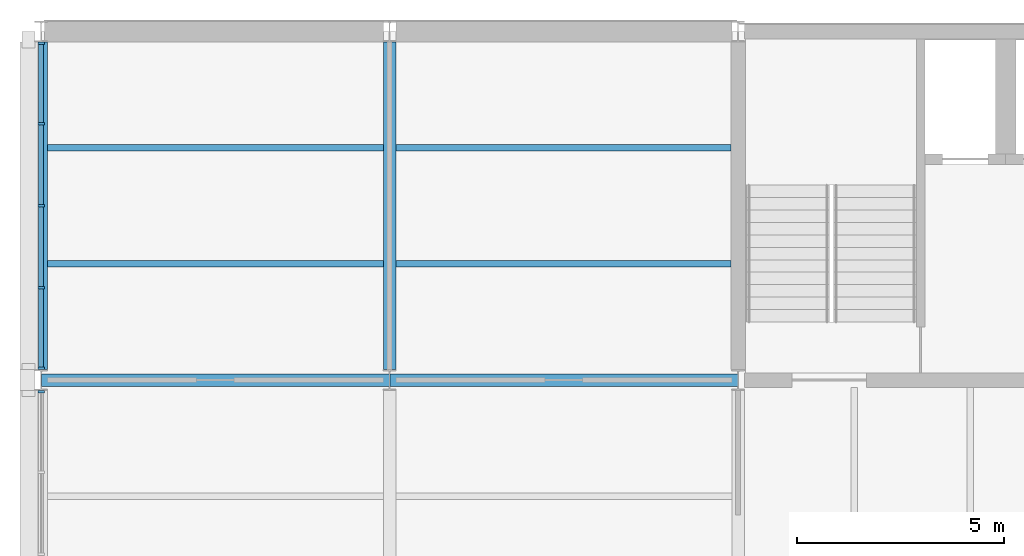
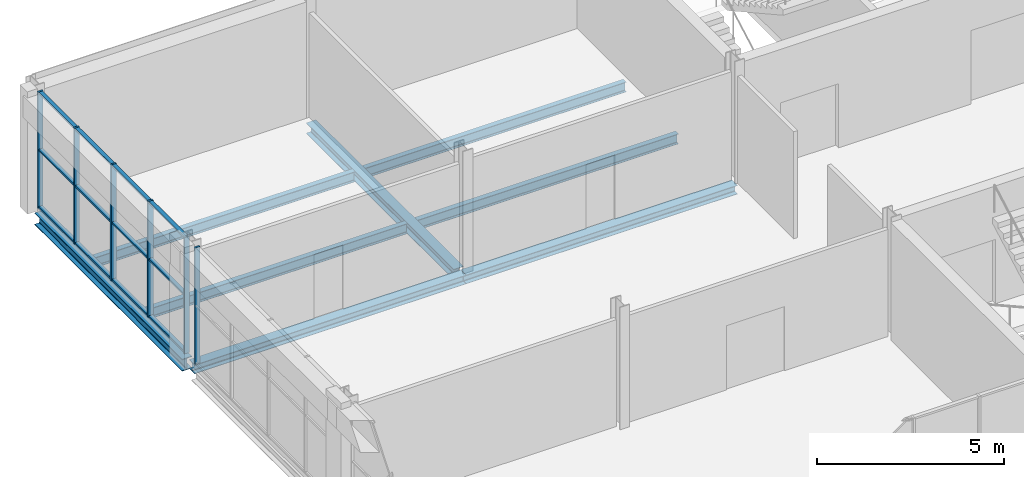
# One storey, part 5 of 12: 18 members, 8 beams, 2 elements without a shape of their own.
"""IFC4 building model written with IfcOpenShell, lengths in metres."""

from ifc_helpers import new_model, si_unit, direction, frame, origin, origin_2d, place, context, subcontext, project, spatial, rectangle, i_section, extrude, material, layer, layer_set, material_profile, profile_set, type_object, element, aggregate, save


model = new_model("IFC4")

# Units and contexts
model_context = context("Model", 3, precision=1e-05, world=origin(), true_north=direction((0.0, 1.0)))
body_context = subcontext(model_context, "Body", "Model", "MODEL_VIEW")
ifc_project = project(units=[si_unit("LENGTHUNIT", "METRE"), si_unit("AREAUNIT", "SQUARE_METRE"), si_unit("VOLUMEUNIT", "CUBIC_METRE"), si_unit("PLANEANGLEUNIT", "RADIAN"), si_unit("MASSUNIT", "GRAM", prefix="KILO")], contexts=[model_context])

# Site, building, storey
site_placement = place(None, origin())
site = spatial("IfcSite", under=ifc_project, at=site_placement, CompositionType="ELEMENT")
building_placement = place(site_placement, origin())
building = spatial("IfcBuilding", under=site, at=building_placement, Name="Galleria Vessillo Department Store", CompositionType="ELEMENT")
storey_placement = place(building_placement, frame((0.0, 0.0, 43.60009765625)))
storey = spatial("IfcBuildingStorey", under=building, at=storey_placement, Name="L09", CompositionType="ELEMENT", Elevation=43.60009765625)

# Curtain wall, member
ifc_material_1 = material(Name="Aluminium and glass curtain wall", Category="aluminium")
ifc_layer = layer(ifc_material_1, 0.159912109375)
ifc_layer_set = layer_set([ifc_layer], Name="Aluminium and glass curtain wall")
curtain_wall_type = type_object("IfcCurtainWallType", Name="Tower curtain wall CW4 2100 module", PredefinedType="NOTDEFINED", material=ifc_layer_set)
curtain_wall_1_placement = place(storey_placement, origin())
curtain_wall_1 = element("IfcCurtainWall", 1, at=curtain_wall_1_placement, inside=storey, type_object=curtain_wall_type, Name="Tower curtain wall CW4 2100 module TW-L09-02", PredefinedType="NOTDEFINED")
ifc_material_2 = material(Name="Aluminium alloy 6063 T6", Category="aluminium")
ifc_material_profile_1 = material_profile(ifc_material_2, rectangle(XDim=0.159912109375, YDim=0.06005859375, at=origin_2d()), Name="AL 60x160")
ifc_profile_set_1 = profile_set([ifc_material_profile_1], Name="Aluminium alloy 6063 T6")
member_type_1 = type_object("IfcMemberType", Name="Aluminium mullion 60 x 160", PredefinedType="MULLION", material=ifc_profile_set_1)
member_1_placement = place(storey_placement, frame((84.0, 54.320068359375, 0.0), z_axis=(0.0, 0.0, 1.0), x_axis=(-1.0, 0.0, 0.0)))
member_1 = element("IfcMember", 2, at=member_1_placement, type_object=member_type_1, Name="CW4 mullion 5", PredefinedType="MULLION", context=body_context, shape_type="SweptSolid", body=[
    extrude(rectangle(XDim=0.159912109375, YDim=0.06005859375, at=origin_2d()), origin(), (0.0, 0.0, 1.0), 3.800048828125),
])
aggregate(curtain_wall_1, [member_1])

# Curtain wall, members
curtain_wall_2_placement = place(storey_placement, origin())
curtain_wall_2 = element("IfcCurtainWall", 3, at=curtain_wall_2_placement, inside=storey, type_object=curtain_wall_type, Name="Tower curtain wall CW4 2100 module TW-L09-03", PredefinedType="NOTDEFINED")
member_2_placement = place(storey_placement, frame((84.0, 54.880126953125, 0.0), z_axis=(0.0, 0.0, 1.0), x_axis=(-1.0, 0.0, 0.0)))
member_2 = element("IfcMember", 4, at=member_2_placement, type_object=member_type_1, Name="CW4 mullion 1", PredefinedType="MULLION", context=body_context, shape_type="SweptSolid", body=[
    extrude(rectangle(XDim=0.159912109375, YDim=0.06005859375, at=origin_2d()), origin(), (0.0, 0.0, 1.0), 3.800048828125),
])
member_3_placement = place(storey_placement, frame((84.0, 56.824951171875, 0.0), z_axis=(0.0, 0.0, 1.0), x_axis=(-1.0, 0.0, 0.0)))
member_3 = element("IfcMember", 5, at=member_3_placement, type_object=member_type_1, Name="CW4 mullion 2", PredefinedType="MULLION", context=body_context, shape_type="SweptSolid", body=[
    extrude(rectangle(XDim=0.159912109375, YDim=0.06005859375, at=origin_2d()), origin(), (0.0, 0.0, 1.0), 3.800048828125),
])
member_4_placement = place(storey_placement, frame((84.0, 58.800048828125, 0.0), z_axis=(0.0, 0.0, 1.0), x_axis=(-1.0, 0.0, 0.0)))
member_4 = element("IfcMember", 6, at=member_4_placement, type_object=member_type_1, Name="CW4 mullion 3", PredefinedType="MULLION", context=body_context, shape_type="SweptSolid", body=[
    extrude(rectangle(XDim=0.159912109375, YDim=0.06005859375, at=origin_2d()), origin(), (0.0, 0.0, 1.0), 3.800048828125),
])
member_5_placement = place(storey_placement, frame((84.0, 60.77490234375, 0.0), z_axis=(0.0, 0.0, 1.0), x_axis=(-1.0, 0.0, 0.0)))
member_5 = element("IfcMember", 7, at=member_5_placement, type_object=member_type_1, Name="CW4 mullion 4", PredefinedType="MULLION", context=body_context, shape_type="SweptSolid", body=[
    extrude(rectangle(XDim=0.159912109375, YDim=0.06005859375, at=origin_2d()), origin(), (0.0, 0.0, 1.0), 3.800048828125),
])
member_6_placement = place(storey_placement, frame((84.0, 62.719970703125, 0.0), z_axis=(0.0, 0.0, 1.0), x_axis=(-1.0, 0.0, 0.0)))
member_6 = element("IfcMember", 8, at=member_6_placement, type_object=member_type_1, Name="CW4 mullion 5", PredefinedType="MULLION", context=body_context, shape_type="SweptSolid", body=[
    extrude(rectangle(XDim=0.159912109375, YDim=0.06005859375, at=origin_2d()), origin(), (0.0, 0.0, 1.0), 3.800048828125),
])
ifc_material_3 = material(Name="Aluminium alloy 6063 T6", Category="aluminium")
ifc_material_profile_2 = material_profile(ifc_material_3, rectangle(XDim=0.1201171875, YDim=0.06005859375, at=origin_2d()), Name="AL 60x120")
ifc_profile_set_2 = profile_set([ifc_material_profile_2], Name="Aluminium alloy 6063 T6")
member_type_2 = type_object("IfcMemberType", Name="Aluminium transom 60 x 120", PredefinedType="USERDEFINED", material=ifc_profile_set_2)
member_7_placement = place(storey_placement, frame((84.0, 54.91015625, 0.030029296875), z_axis=(0.0, 1.0, 0.0), x_axis=(-1.0, 0.0, 0.0)))
member_7 = element("IfcMember", 9, at=member_7_placement, type_object=member_type_2, Name="CW4 transom 1.1", ObjectType="TRANSOM", PredefinedType="USERDEFINED", context=body_context, shape_type="SweptSolid", body=[
    extrude(rectangle(XDim=0.1201171875, YDim=0.06005859375, at=origin_2d()), origin(), (0.0, 0.0, 1.0), 1.885009765625),
])
member_8_placement = place(storey_placement, frame((84.0, 54.91015625, 1.89990234375), z_axis=(0.0, 1.0, 0.0), x_axis=(-1.0, 0.0, 0.0)))
member_8 = element("IfcMember", 10, at=member_8_placement, type_object=member_type_2, Name="CW4 transom 1.2", ObjectType="TRANSOM", PredefinedType="USERDEFINED", context=body_context, shape_type="SweptSolid", body=[
    extrude(rectangle(XDim=0.1201171875, YDim=0.06005859375, at=origin_2d()), origin(), (0.0, 0.0, 1.0), 1.885009765625),
])
member_9_placement = place(storey_placement, frame((84.0, 54.91015625, 3.77001953125), z_axis=(0.0, 1.0, 0.0), x_axis=(-1.0, 0.0, 0.0)))
member_9 = element("IfcMember", 11, at=member_9_placement, type_object=member_type_2, Name="CW4 transom 1.3", ObjectType="TRANSOM", PredefinedType="USERDEFINED", context=body_context, shape_type="SweptSolid", body=[
    extrude(rectangle(XDim=0.1201171875, YDim=0.06005859375, at=origin_2d()), origin(), (0.0, 0.0, 1.0), 1.885009765625),
])
member_10_placement = place(storey_placement, frame((84.0, 56.85498046875, 0.030029296875), z_axis=(0.0, 1.0, 0.0), x_axis=(-1.0, 0.0, 0.0)))
member_10 = element("IfcMember", 12, at=member_10_placement, type_object=member_type_2, Name="CW4 transom 2.1", ObjectType="TRANSOM", PredefinedType="USERDEFINED", context=body_context, shape_type="SweptSolid", body=[
    extrude(rectangle(XDim=0.1201171875, YDim=0.06005859375, at=origin_2d()), origin(), (0.0, 0.0, 1.0), 1.9150390625),
])
member_11_placement = place(storey_placement, frame((84.0, 56.85498046875, 1.89990234375), z_axis=(0.0, 1.0, 0.0), x_axis=(-1.0, 0.0, 0.0)))
member_11 = element("IfcMember", 13, at=member_11_placement, type_object=member_type_2, Name="CW4 transom 2.2", ObjectType="TRANSOM", PredefinedType="USERDEFINED", context=body_context, shape_type="SweptSolid", body=[
    extrude(rectangle(XDim=0.1201171875, YDim=0.06005859375, at=origin_2d()), origin(), (0.0, 0.0, 1.0), 1.9150390625),
])
member_12_placement = place(storey_placement, frame((84.0, 56.85498046875, 3.77001953125), z_axis=(0.0, 1.0, 0.0), x_axis=(-1.0, 0.0, 0.0)))
member_12 = element("IfcMember", 14, at=member_12_placement, type_object=member_type_2, Name="CW4 transom 2.3", ObjectType="TRANSOM", PredefinedType="USERDEFINED", context=body_context, shape_type="SweptSolid", body=[
    extrude(rectangle(XDim=0.1201171875, YDim=0.06005859375, at=origin_2d()), origin(), (0.0, 0.0, 1.0), 1.9150390625),
])
member_13_placement = place(storey_placement, frame((84.0, 58.830078125, 0.030029296875), z_axis=(0.0, 1.0, 0.0), x_axis=(-1.0, 0.0, 0.0)))
member_13 = element("IfcMember", 15, at=member_13_placement, type_object=member_type_2, Name="CW4 transom 3.1", ObjectType="TRANSOM", PredefinedType="USERDEFINED", context=body_context, shape_type="SweptSolid", body=[
    extrude(rectangle(XDim=0.1201171875, YDim=0.06005859375, at=origin_2d()), origin(), (0.0, 0.0, 1.0), 1.9150390625),
])
member_14_placement = place(storey_placement, frame((84.0, 58.830078125, 1.89990234375), z_axis=(0.0, 1.0, 0.0), x_axis=(-1.0, 0.0, 0.0)))
member_14 = element("IfcMember", 16, at=member_14_placement, type_object=member_type_2, Name="CW4 transom 3.2", ObjectType="TRANSOM", PredefinedType="USERDEFINED", context=body_context, shape_type="SweptSolid", body=[
    extrude(rectangle(XDim=0.1201171875, YDim=0.06005859375, at=origin_2d()), origin(), (0.0, 0.0, 1.0), 1.9150390625),
])
member_15_placement = place(storey_placement, frame((84.0, 58.830078125, 3.77001953125), z_axis=(0.0, 1.0, 0.0), x_axis=(-1.0, 0.0, 0.0)))
member_15 = element("IfcMember", 17, at=member_15_placement, type_object=member_type_2, Name="CW4 transom 3.3", ObjectType="TRANSOM", PredefinedType="USERDEFINED", context=body_context, shape_type="SweptSolid", body=[
    extrude(rectangle(XDim=0.1201171875, YDim=0.06005859375, at=origin_2d()), origin(), (0.0, 0.0, 1.0), 1.9150390625),
])
member_16_placement = place(storey_placement, frame((84.0, 60.804931640625, 0.030029296875), z_axis=(0.0, 1.0, 0.0), x_axis=(-1.0, 0.0, 0.0)))
member_16 = element("IfcMember", 18, at=member_16_placement, type_object=member_type_2, Name="CW4 transom 4.1", ObjectType="TRANSOM", PredefinedType="USERDEFINED", context=body_context, shape_type="SweptSolid", body=[
    extrude(rectangle(XDim=0.1201171875, YDim=0.06005859375, at=origin_2d()), origin(), (0.0, 0.0, 1.0), 1.885009765625),
])
member_17_placement = place(storey_placement, frame((84.0, 60.804931640625, 1.89990234375), z_axis=(0.0, 1.0, 0.0), x_axis=(-1.0, 0.0, 0.0)))
member_17 = element("IfcMember", 19, at=member_17_placement, type_object=member_type_2, Name="CW4 transom 4.2", ObjectType="TRANSOM", PredefinedType="USERDEFINED", context=body_context, shape_type="SweptSolid", body=[
    extrude(rectangle(XDim=0.1201171875, YDim=0.06005859375, at=origin_2d()), origin(), (0.0, 0.0, 1.0), 1.885009765625),
])
member_18_placement = place(storey_placement, frame((84.0, 60.804931640625, 3.77001953125), z_axis=(0.0, 1.0, 0.0), x_axis=(-1.0, 0.0, 0.0)))
member_18 = element("IfcMember", 20, at=member_18_placement, type_object=member_type_2, Name="CW4 transom 4.3", ObjectType="TRANSOM", PredefinedType="USERDEFINED", context=body_context, shape_type="SweptSolid", body=[
    extrude(rectangle(XDim=0.1201171875, YDim=0.06005859375, at=origin_2d()), origin(), (0.0, 0.0, 1.0), 1.885009765625),
])
aggregate(curtain_wall_2, [member_2, member_3, member_4, member_5, member_6, member_7, member_8, member_9, member_10, member_11, member_12, member_13, member_14, member_15, member_16, member_17, member_18])

# Beams
ifc_material_4 = material(Name="Steel S355 J2", Category="steel")
ifc_material_profile_3 = material_profile(ifc_material_4, i_section(OverallWidth=0.300048828125, OverallDepth=0.35009765625, WebThickness=0.010009765625, FlangeThickness=0.017578125, FilletRadius=0.027099609375, at=origin_2d()), Name="HEA 360")
ifc_profile_set_3 = profile_set([ifc_material_profile_3], Name="Steel S355 J2")
beam_type_1 = type_object("IfcBeamType", Name="Floor girder HEA 360", PredefinedType="BEAM", material=ifc_profile_set_3)
beam_1_placement = place(storey_placement, frame((92.39990234375, 54.85009765625, -0.324951171875), z_axis=(0.0, 1.0, 0.0), x_axis=(-1.0, 0.0, 0.0)))
element("IfcBeam", 21, at=beam_1_placement, inside=storey, type_object=beam_type_1, Name="S-BM-L09-GI-y92400-54850", PredefinedType="BEAM", context=body_context, shape_type="SweptSolid", body=[
    extrude(i_section(OverallWidth=0.300048828125, OverallDepth=0.35009765625, WebThickness=0.010009765625, FlangeThickness=0.017578125, FilletRadius=0.027099609375, at=origin_2d()), origin(), (0.0, 0.0, 1.0), 7.899658203125),
])
ifc_material_5 = material(Name="Steel S355 J2", Category="steel")
ifc_material_profile_4 = material_profile(ifc_material_5, i_section(OverallWidth=0.159912109375, OverallDepth=0.330078125, WebThickness=0.007568359375, FlangeThickness=0.011474609375, FilletRadius=0.01806640625, at=origin_2d()), Name="IPE 330")
ifc_profile_set_4 = profile_set([ifc_material_profile_4], Name="Steel S355 J2")
beam_type_2 = type_object("IfcBeamType", Name="Floor joist IPE 330", PredefinedType="JOIST", material=ifc_profile_set_4)
for number, where, z_axis, x_axis, name in (
    (22, (84.150146484375, 57.39990234375, -0.31494140625), (1.0, 0.0, 0.0), (0.0, 1.0, 0.0), "S-BM-L09-JO-x57400-84150"),
    (23, (84.150146484375, 60.199951171875, -0.31494140625), (1.0, 0.0, 0.0), (0.0, 1.0, 0.0), "S-BM-L09-JO-x60200-84150"),
):
    element("IfcBeam", number, at=place(storey_placement, frame(where, z_axis=z_axis, x_axis=x_axis)), inside=storey, type_object=beam_type_2, Name=name, PredefinedType="JOIST", context=body_context, shape_type="SweptSolid", body=[
        extrude(i_section(OverallWidth=0.159912109375, OverallDepth=0.330078125, WebThickness=0.007568359375, FlangeThickness=0.011474609375, FilletRadius=0.01806640625, at=origin_2d()), origin(), (0.0, 0.0, 1.0), 8.099609375),
    ])
for number, where, z_axis, x_axis, name in (
    (24, (92.550048828125, 57.39990234375, -0.31494140625), (1.0, 0.0, 0.0), (0.0, 1.0, 0.0), "S-BM-L09-JO-x57400-92550"),
    (25, (92.550048828125, 60.199951171875, -0.31494140625), (1.0, 0.0, 0.0), (0.0, 1.0, 0.0), "S-BM-L09-JO-x60200-92550"),
):
    element("IfcBeam", number, at=place(storey_placement, frame(where, z_axis=z_axis, x_axis=x_axis)), inside=storey, type_object=beam_type_2, Name=name, PredefinedType="JOIST", context=body_context, shape_type="SweptSolid", body=[
        extrude(i_section(OverallWidth=0.159912109375, OverallDepth=0.330078125, WebThickness=0.007568359375, FlangeThickness=0.011474609375, FilletRadius=0.01806640625, at=origin_2d()), origin(), (0.0, 0.0, 1.0), 8.07470703125),
    ])
ifc_material_6 = material(Name="Steel S355 J2", Category="steel")
ifc_material_profile_5 = material_profile(ifc_material_6, i_section(OverallWidth=0.300048828125, OverallDepth=0.2900390625, WebThickness=0.008544921875, FlangeThickness=0.013916015625, FilletRadius=0.027099609375, at=origin_2d()), Name="HEA 300")
ifc_profile_set_5 = profile_set([ifc_material_profile_5], Name="Steel S355 J2")
beam_type_3 = type_object("IfcBeamType", Name="Floor tie girder HEA 300", PredefinedType="BEAM", material=ifc_profile_set_5)
for number, where, z_axis, x_axis, name in (
    (26, (84.00732421875, 54.60009765625, -0.294921875), (1.0, 0.0, 0.0), (0.0, 1.0, 0.0), "S-BM-L09-TI-x54600-84007"),
    (27, (92.407470703125, 54.60009765625, -0.294921875), (1.0, 0.0, 0.0), (0.0, 1.0, 0.0), "S-BM-L09-TI-x54600-92407"),
):
    element("IfcBeam", number, at=place(storey_placement, frame(where, z_axis=z_axis, x_axis=x_axis)), inside=storey, type_object=beam_type_3, Name=name, PredefinedType="BEAM", context=body_context, shape_type="SweptSolid", body=[
        extrude(i_section(OverallWidth=0.300048828125, OverallDepth=0.2900390625, WebThickness=0.008544921875, FlangeThickness=0.013916015625, FilletRadius=0.027099609375, at=origin_2d()), origin(), (0.0, 0.0, 1.0), 8.38525390625),
    ])
ifc_material_7 = material(Name="Steel S355 J2", Category="steel")
ifc_material_profile_6 = material_profile(ifc_material_7, i_section(OverallWidth=0.300048828125, OverallDepth=0.389892578125, WebThickness=0.010986328125, FlangeThickness=0.01904296875, FilletRadius=0.027099609375, at=origin_2d()), Name="HEA 400")
ifc_profile_set_6 = profile_set([ifc_material_profile_6], Name="Steel S355 J2")
beam_type_4 = type_object("IfcBeamType", Name="Trimmer beam HEA 400", PredefinedType="BEAM", material=ifc_profile_set_6)
beam_2_placement = place(storey_placement, frame((84.0, 54.85009765625, -0.344970703125), z_axis=(0.0, 1.0, 0.0), x_axis=(-1.0, 0.0, 0.0)))
element("IfcBeam", 28, at=beam_2_placement, inside=storey, type_object=beam_type_4, Name="S-BM-L09-TR-y84000-54850", PredefinedType="BEAM", context=body_context, shape_type="SweptSolid", body=[
    extrude(i_section(OverallWidth=0.300048828125, OverallDepth=0.389892578125, WebThickness=0.010986328125, FlangeThickness=0.01904296875, FilletRadius=0.027099609375, at=origin_2d()), origin(), (0.0, 0.0, 1.0), 7.899658203125),
])

save(model, "model.ifc")
